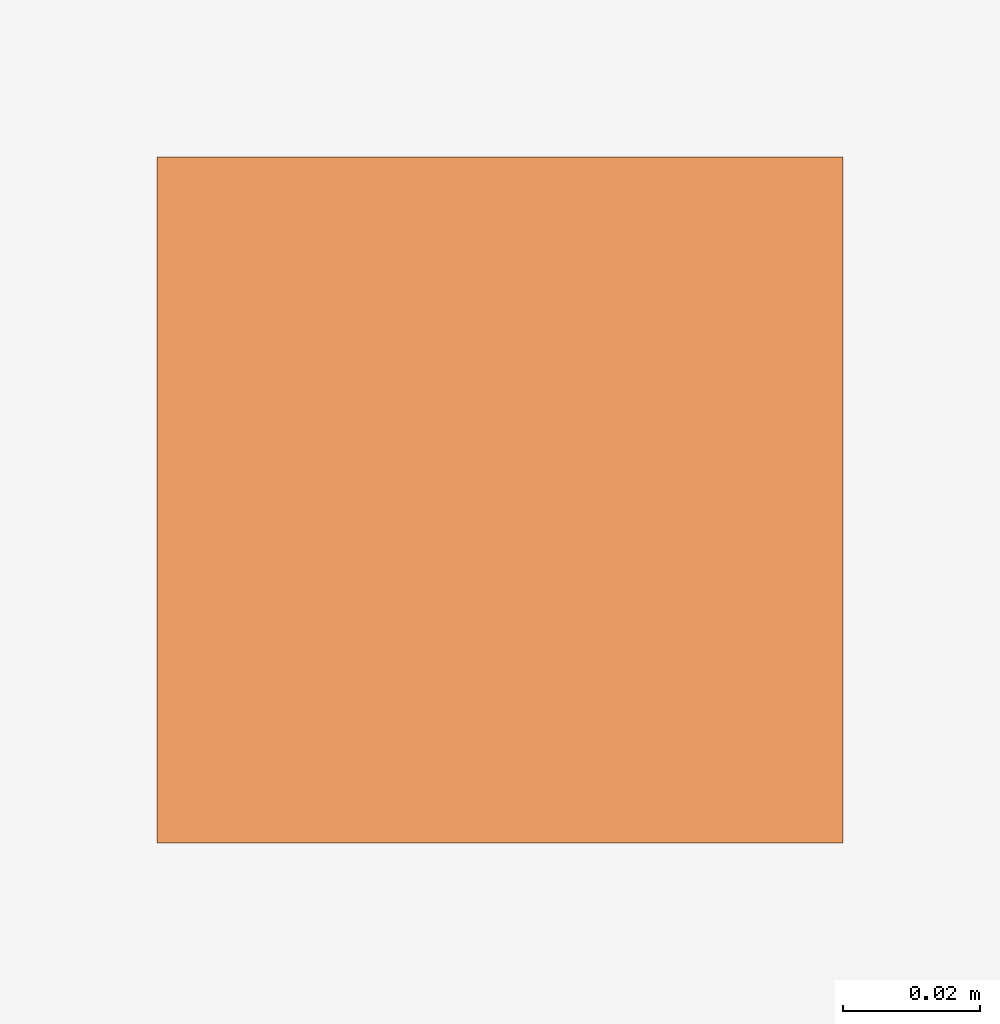
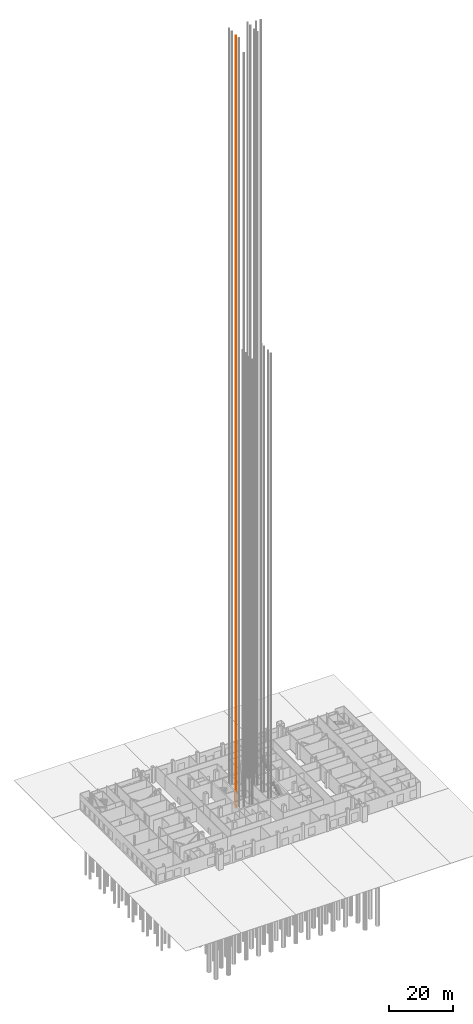
# One storey, part 27 of 36: 1 proxy.
"""IFC4 building model written with IfcOpenShell, lengths in metres."""

from ifc_helpers import new_model, si_unit, direction, frame, origin, origin_2d, place, context, subcontext, project, spatial, rectangle, extrude, material, type_object, element, save


model = new_model("IFC4")

# Units and contexts
model_context = context("Model", 3, precision=1e-05, world=origin(), true_north=direction((0.0, 1.0)))
body_context = subcontext(model_context, "Body", "Model", "MODEL_VIEW")
ifc_project = project(units=[si_unit("LENGTHUNIT", "METRE"), si_unit("AREAUNIT", "SQUARE_METRE"), si_unit("VOLUMEUNIT", "CUBIC_METRE"), si_unit("PLANEANGLEUNIT", "RADIAN"), si_unit("MASSUNIT", "GRAM", prefix="KILO")], contexts=[model_context])

# Site, building, storey
site_placement = place(None, origin())
site = spatial("IfcSite", under=ifc_project, at=site_placement, CompositionType="ELEMENT")
building_placement = place(site_placement, origin())
building = spatial("IfcBuilding", under=site, at=building_placement, Name="Malebo Sky Hospital", CompositionType="ELEMENT")
storey_placement = place(building_placement, origin())
storey = spatial("IfcBuildingStorey", under=building, at=storey_placement, Name="L00", CompositionType="ELEMENT", Elevation=0.0)

# Proxy
ifc_material = material(Name="Steel S355", Category="steel")
building_element_proxy_type = type_object("IfcBuildingElementProxyType", Name="LIFT GUIDE RAIL 100", PredefinedType="USERDEFINED", material=ifc_material)
proxy_placement = place(storey_placement, frame((56.64990234375, 65.02490234375, 0.0)))
element("IfcBuildingElementProxy", 1, at=proxy_placement, inside=storey, type_object=building_element_proxy_type, Name="Lift W3 guide rail 2", ObjectType="LIFT GUIDE RAIL", PredefinedType="USERDEFINED", context=body_context, shape_type="SweptSolid", body=[
    extrude(rectangle(XDim=0.10009765625, YDim=0.10009765625, at=origin_2d()), frame((0.0, 0.0, -2.25)), (0.0, 0.0, 1.0), 295.75),
])

save(model, "model.ifc")
